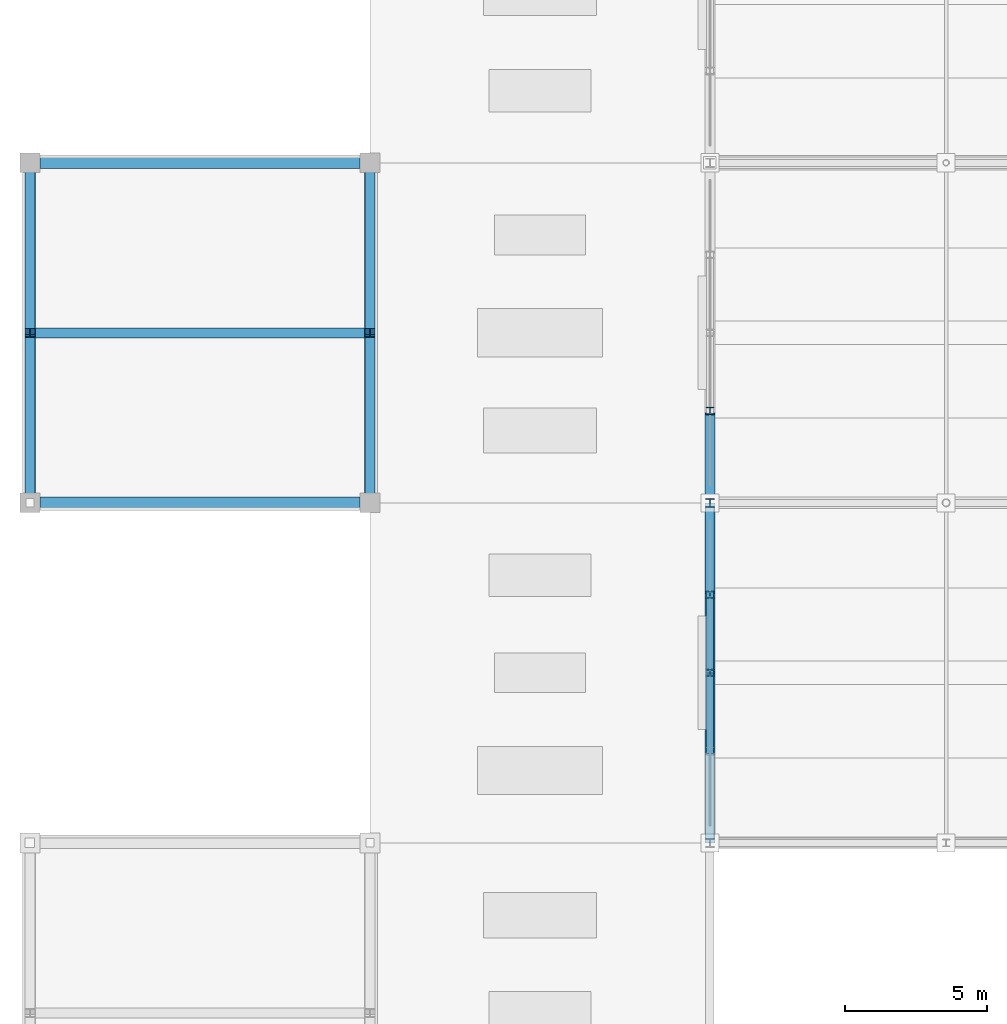
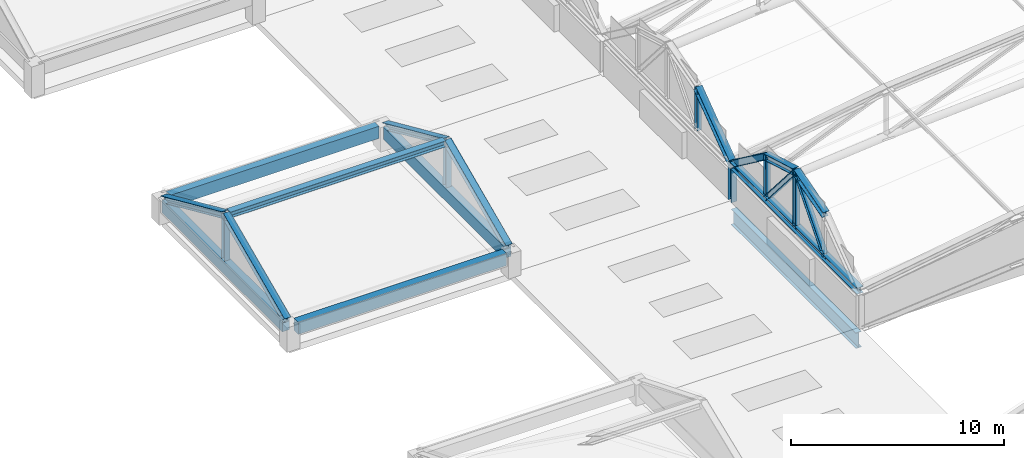
# One storey, part 10 of 117: 18 members, 5 beams.
"""IFC4 building model written with IfcOpenShell, lengths in metres."""

from ifc_helpers import new_model, si_unit, direction, frame, origin, origin_2d, place, context, subcontext, project, spatial, rectangle, i_section, extrude, material, material_profile, profile_set, type_object, element, save


model = new_model("IFC4")

# Units and contexts
model_context = context("Model", 3, precision=1e-05, world=origin(), true_north=direction((0.0, 1.0)))
body_context = subcontext(model_context, "Body", "Model", "MODEL_VIEW")
ifc_project = project(units=[si_unit("LENGTHUNIT", "METRE"), si_unit("AREAUNIT", "SQUARE_METRE"), si_unit("VOLUMEUNIT", "CUBIC_METRE"), si_unit("PLANEANGLEUNIT", "RADIAN"), si_unit("MASSUNIT", "GRAM", prefix="KILO")], contexts=[model_context])

# Site, building, storey
site_placement = place(None, origin())
site = spatial("IfcSite", under=ifc_project, at=site_placement, CompositionType="ELEMENT")
building_placement = place(site_placement, origin())
building = spatial("IfcBuilding", under=site, at=building_placement, Name="Kazenohara Klinker Stadium", CompositionType="ELEMENT")
storey_placement = place(building_placement, frame((0.0, 0.0, 31.199951171875)))
storey = spatial("IfcBuildingStorey", under=building, at=storey_placement, Name="RF", CompositionType="ELEMENT", Elevation=31.199951171875)

# Beams
ifc_material_1 = material(Name="Concrete C40/50", Category="concrete")
ifc_material_profile_1 = material_profile(ifc_material_1, rectangle(XDim=0.39990234375, YDim=0.699951171875, at=origin_2d()), Name="RC-BM-400x700")
ifc_profile_set_1 = profile_set([ifc_material_profile_1], Name="Concrete C40/50")
beam_type_1 = type_object("IfcBeamType", Name="BM-RC04", PredefinedType="BEAM", material=ifc_profile_set_1)
for number, where, z_axis, x_axis, name in (
    (1, (0.35009765625, 60.0, 1.050048828125), (1.0, 0.0, 0.0), (0.0, 1.0, 0.0), "Turret crown eave girder BG04 RF X0-5"),
    (2, (0.35009765625, 72.0, 1.050048828125), (1.0, 0.0, 0.0), (0.0, 1.0, 0.0), "Turret crown eave girder BG04 RF X0-6"),
    (3, (0.0, 60.35009765625, 1.050048828125), (0.0, 1.0, 0.0), (-1.0, 0.0, 0.0), "Turret crown eave girder BG04 RF Y0-5"),
    (4, (12.0, 60.35009765625, 1.050048828125), (0.0, 1.0, 0.0), (-1.0, 0.0, 0.0), "Turret crown eave girder BG04 RF Y1-5"),
):
    element("IfcBeam", number, at=place(storey_placement, frame(where, z_axis=z_axis, x_axis=x_axis)), inside=storey, type_object=beam_type_1, Name=name, PredefinedType="BEAM", context=body_context, shape_type="SweptSolid", body=[
        extrude(rectangle(XDim=0.39990234375, YDim=0.699951171875, at=origin_2d()), origin(), (0.0, 0.0, 1.0), 11.2998046875),
    ])

# Members
ifc_material_2 = material(Name="Steel S355", Category="steel")
ifc_material_profile_2 = material_profile(ifc_material_2, i_section(OverallWidth=0.35009765625, OverallDepth=0.35009765625, WebThickness=0.011962890625, FlangeThickness=0.01904296875, FilletRadius=0.012939453125, at=origin_2d()), Name="H-350x350x12x19")
ifc_profile_set_2 = profile_set([ifc_material_profile_2], Name="Steel S355")
member_type_1 = type_object("IfcMemberType", Name="MEM-CHD02", PredefinedType="CHORD", material=ifc_profile_set_2)
for number, where, z_axis, x_axis, name in (
    (5, (0.0, 60.25, 1.380126953125), (0.0, 0.912968772049, 0.408029436761), (-1.0, 0.0, 0.0), "Crown gable rafter WBST-05 W South"),
    (6, (0.0, 71.75, 1.380126953125), (0.0, -0.912968772049, 0.408029436761), (1.0, 0.0, 0.0), "Crown gable rafter WBST-05 W North"),
    (7, (12.0, 60.25, 1.380126953125), (0.0, 0.912968772049, 0.408029436761), (-1.0, 0.0, 0.0), "Crown gable rafter WBST-05 E South"),
    (8, (12.0, 71.75, 1.380126953125), (0.0, -0.912968772049, 0.408029436761), (1.0, 0.0, 0.0), "Crown gable rafter WBST-05 E North"),
):
    element("IfcMember", number, at=place(storey_placement, frame(where, z_axis=z_axis, x_axis=x_axis)), inside=storey, type_object=member_type_1, Name=name, PredefinedType="CHORD", context=body_context, shape_type="SweptSolid", body=[
        extrude(i_section(OverallWidth=0.35009765625, OverallDepth=0.35009765625, WebThickness=0.011962890625, FlangeThickness=0.01904296875, FilletRadius=0.012939453125, at=origin_2d()), origin(), (0.0, 0.0, 1.0), 6.298095703125),
    ])
member_1_placement = place(storey_placement, frame((0.14990234375, 66.0, 3.949951171875), z_axis=(1.0, 0.0, 0.0), x_axis=(0.0, 1.0, 0.0)))
element("IfcMember", 9, at=member_1_placement, inside=storey, type_object=member_type_1, Name="Crown ridge beam WBST-05", PredefinedType="CHORD", context=body_context, shape_type="SweptSolid", body=[
    extrude(i_section(OverallWidth=0.35009765625, OverallDepth=0.35009765625, WebThickness=0.011962890625, FlangeThickness=0.01904296875, FilletRadius=0.012939453125, at=origin_2d()), origin(), (0.0, 0.0, 1.0), 11.7001953125),
])
member_2_placement = place(storey_placement, frame((24.0, 48.0, 2.10009765625), z_axis=(0.0, 1.0, 0.0), x_axis=(-1.0, 0.0, 0.0)))
element("IfcMember", 10, at=member_2_placement, inside=storey, type_object=member_type_1, Name="Barrel arch tie chord TC02 W-01-N0", PredefinedType="CHORD", context=body_context, shape_type="SweptSolid", body=[
    extrude(i_section(OverallWidth=0.35009765625, OverallDepth=0.35009765625, WebThickness=0.011962890625, FlangeThickness=0.01904296875, FilletRadius=0.012939453125, at=origin_2d()), origin(), (0.0, 0.0, 1.0), 12.0),
])
for number, where, z_axis, x_axis, name in (
    (11, (24.0, 51.239990234375, 4.5), (0.0, 0.960462085918, 0.27841081429), (-1.0, 0.0, 0.0), "Barrel arch top rib TC02 W-01-N0-S2"),
    (12, (24.0, 54.0, 5.300048828125), (0.0, 0.960462085918, -0.27841081429), (-1.0, 0.0, 0.0), "Barrel arch top rib TC02 W-01-N0-S3"),
):
    element("IfcMember", number, at=place(storey_placement, frame(where, z_axis=z_axis, x_axis=x_axis)), inside=storey, type_object=member_type_1, Name=name, PredefinedType="CHORD", context=body_context, shape_type="SweptSolid", body=[
        extrude(i_section(OverallWidth=0.35009765625, OverallDepth=0.35009765625, WebThickness=0.011962890625, FlangeThickness=0.01904296875, FilletRadius=0.012939453125, at=origin_2d()), origin(), (0.0, 0.0, 1.0), 2.87353515625),
    ])
for number, where, z_axis, x_axis, name in (
    (13, (24.0, 56.760009765625, 4.5), (0.0, 0.803567919639, -0.595213069856), (-1.0, 0.0, 0.0), "Barrel arch top rib TC02 W-01-N0-S4"),
    (14, (24.0, 60.0, 2.10009765625), (0.0, 0.803567919639, 0.595213069856), (-1.0, 0.0, 0.0), "Barrel arch top rib TC02 W-02-N0-S1"),
):
    element("IfcMember", number, at=place(storey_placement, frame(where, z_axis=z_axis, x_axis=x_axis)), inside=storey, type_object=member_type_1, Name=name, PredefinedType="CHORD", context=body_context, shape_type="SweptSolid", body=[
        extrude(i_section(OverallWidth=0.35009765625, OverallDepth=0.35009765625, WebThickness=0.011962890625, FlangeThickness=0.01904296875, FilletRadius=0.012939453125, at=origin_2d()), origin(), (0.0, 0.0, 1.0), 4.031982421875),
    ])
ifc_material_profile_3 = material_profile(ifc_material_2, i_section(OverallWidth=0.300048828125, OverallDepth=0.300048828125, WebThickness=0.010009765625, FlangeThickness=0.014892578125, FilletRadius=0.012939453125, at=origin_2d()), Name="H-300x300x10x15")
ifc_profile_set_3 = profile_set([ifc_material_profile_3], Name="Steel S355")
member_type_2 = type_object("IfcMemberType", Name="MEM-STR01", PredefinedType="STRUT", material=ifc_profile_set_3)
for number, where, z_axis, x_axis, name in (
    (15, (0.0, 66.0, 1.380126953125), (0.0, 0.0, 1.0), (1.0, 0.0, 0.0), "Crown gable king-post WBST-05 W"),
    (16, (12.0, 66.0, 1.380126953125), (0.0, 0.0, 1.0), (1.0, 0.0, 0.0), "Crown gable king-post WBST-05 E"),
):
    element("IfcMember", number, at=place(storey_placement, frame(where, z_axis=z_axis, x_axis=x_axis)), inside=storey, type_object=member_type_2, Name=name, PredefinedType="STRUT", context=body_context, shape_type="SweptSolid", body=[
        extrude(i_section(OverallWidth=0.300048828125, OverallDepth=0.300048828125, WebThickness=0.010009765625, FlangeThickness=0.014892578125, FilletRadius=0.012939453125, at=origin_2d()), origin(), (0.0, 0.0, 1.0), 2.56982421875),
    ])
member_3_placement = place(storey_placement, frame((24.0, 60.0, -0.02001953125), z_axis=(0.0, 0.0, 1.0), x_axis=(1.0, 0.0, 0.0)))
element("IfcMember", 17, at=member_3_placement, inside=storey, type_object=member_type_2, Name="ROOF TRUSS RT-W02 web post 1", PredefinedType="STRUT", context=body_context, shape_type="SweptSolid", body=[
    extrude(i_section(OverallWidth=0.300048828125, OverallDepth=0.300048828125, WebThickness=0.010009765625, FlangeThickness=0.014892578125, FilletRadius=0.012939453125, at=origin_2d()), origin(), (0.0, 0.0, 1.0), 2.1201171875),
])
ifc_material_profile_4 = material_profile(ifc_material_2, i_section(OverallWidth=0.25, OverallDepth=0.25, WebThickness=0.009033203125, FlangeThickness=0.013916015625, FilletRadius=0.012939453125, at=origin_2d()), Name="H-250x250x9x14")
ifc_profile_set_4 = profile_set([ifc_material_profile_4], Name="Steel S355")
member_type_3 = type_object("IfcMemberType", Name="MEM-STR02", PredefinedType="STRUT", material=ifc_profile_set_4)
member_4_placement = place(storey_placement, frame((24.0, 54.0, 2.10009765625), z_axis=(0.0, 0.0, 1.0), x_axis=(1.0, 0.0, 0.0)))
element("IfcMember", 18, at=member_4_placement, inside=storey, type_object=member_type_3, Name="Barrel arch web post TS02 W-01-N0-P2", PredefinedType="STRUT", context=body_context, shape_type="SweptSolid", body=[
    extrude(i_section(OverallWidth=0.25, OverallDepth=0.25, WebThickness=0.009033203125, FlangeThickness=0.013916015625, FilletRadius=0.012939453125, at=origin_2d()), origin(), (0.0, 0.0, 1.0), 3.199951171875),
])
member_5_placement = place(storey_placement, frame((24.0, 56.760009765625, 2.10009765625), z_axis=(0.0, 0.0, 1.0), x_axis=(1.0, 0.0, 0.0)))
element("IfcMember", 19, at=member_5_placement, inside=storey, type_object=member_type_3, Name="Barrel arch web post TS02 W-01-N0-P3", PredefinedType="STRUT", context=body_context, shape_type="SweptSolid", body=[
    extrude(i_section(OverallWidth=0.25, OverallDepth=0.25, WebThickness=0.009033203125, FlangeThickness=0.013916015625, FilletRadius=0.012939453125, at=origin_2d()), origin(), (0.0, 0.0, 1.0), 2.39990234375),
])
for number, where, z_axis, x_axis, name in (
    (20, (24.0, 51.239990234375, 2.10009765625), (0.0, 0.653133887971, 0.757242447558), (-1.0, 0.0, 0.0), "Barrel arch web diagonal TS02 W-01-N0-D1"),
    (21, (24.0, 56.760009765625, 2.10009765625), (0.0, -0.653133887971, 0.757242447558), (1.0, 0.0, 0.0), "Barrel arch web diagonal TS02 W-01-N0-D2"),
):
    element("IfcMember", number, at=place(storey_placement, frame(where, z_axis=z_axis, x_axis=x_axis)), inside=storey, type_object=member_type_3, Name=name, PredefinedType="STRUT", context=body_context, shape_type="SweptSolid", body=[
        extrude(i_section(OverallWidth=0.25, OverallDepth=0.25, WebThickness=0.009033203125, FlangeThickness=0.013916015625, FilletRadius=0.012939453125, at=origin_2d()), origin(), (0.0, 0.0, 1.0), 4.225830078125),
    ])
member_6_placement = place(storey_placement, frame((24.0, 63.239990234375, 2.10009765625), z_axis=(0.0, 0.0, 1.0), x_axis=(1.0, 0.0, 0.0)))
element("IfcMember", 22, at=member_6_placement, inside=storey, type_object=member_type_3, Name="Barrel arch web post TS02 W-02-N0-P1", PredefinedType="STRUT", context=body_context, shape_type="SweptSolid", body=[
    extrude(i_section(OverallWidth=0.25, OverallDepth=0.25, WebThickness=0.009033203125, FlangeThickness=0.013916015625, FilletRadius=0.012939453125, at=origin_2d()), origin(), (0.0, 0.0, 1.0), 2.39990234375),
])

# Beam
ifc_material_profile_5 = material_profile(ifc_material_2, i_section(OverallWidth=0.300048828125, OverallDepth=0.89990234375, WebThickness=0.01611328125, FlangeThickness=0.028076171875, FilletRadius=0.02197265625, at=origin_2d()), Name="H-900x300x16x28")
ifc_profile_set_5 = profile_set([ifc_material_profile_5], Name="Steel S355")
beam_type_2 = type_object("IfcBeamType", Name="RING-RB01", PredefinedType="USERDEFINED", material=ifc_profile_set_5)
beam_placement = place(storey_placement, frame((24.0, 48.139892578125, -0.820068359375), z_axis=(0.0, 1.0, 0.0), x_axis=(-1.0, 0.0, 0.0)))
element("IfcBeam", 23, at=beam_placement, inside=storey, type_object=beam_type_2, Name="Roof ring beam RB01 W-OUT E-F", ObjectType="RING BEAM", PredefinedType="USERDEFINED", context=body_context, shape_type="SweptSolid", body=[
    extrude(i_section(OverallWidth=0.300048828125, OverallDepth=0.89990234375, WebThickness=0.01611328125, FlangeThickness=0.028076171875, FilletRadius=0.02197265625, at=origin_2d()), origin(), (0.0, 0.0, 1.0), 11.72021484375),
])

save(model, "model.ifc")
